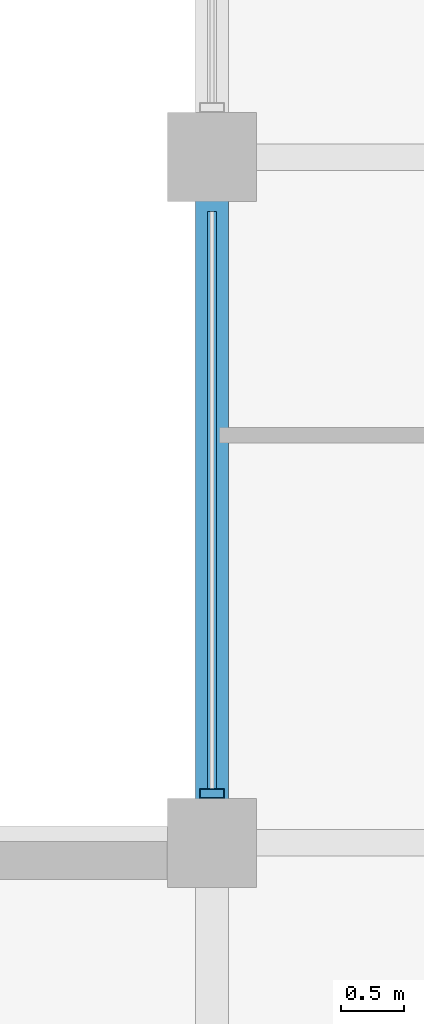
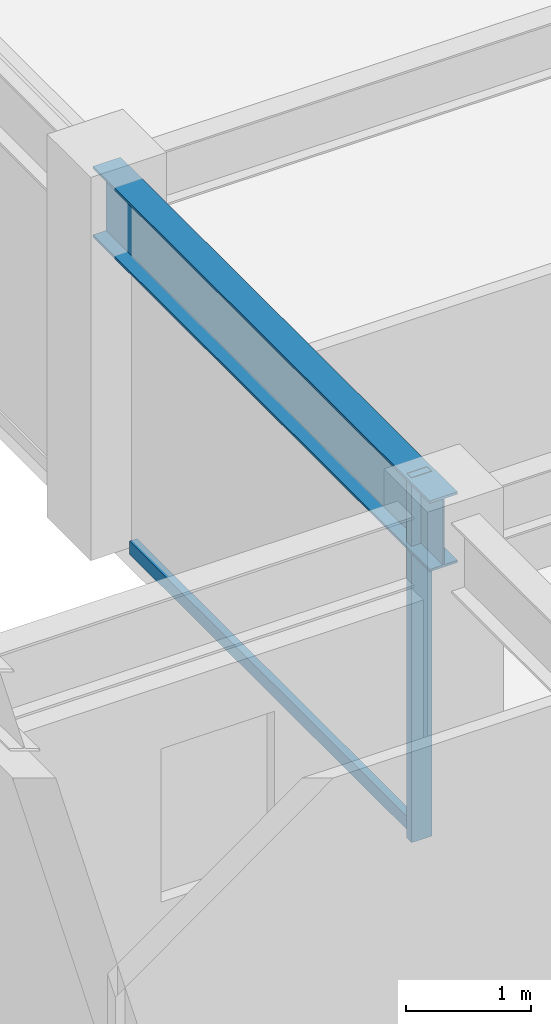
# One storey, part 7 of 31: 2 members, 1 beam, 1 element without a shape of its own.
"""IFC4 building model written with IfcOpenShell, lengths in metres."""

from ifc_helpers import new_model, si_unit, direction, frame, origin, origin_2d, place, context, subcontext, project, spatial, hollow_rectangle, i_section, extrude, material, layer, layer_set, material_profile, profile_set, type_object, element, aggregate, save


model = new_model("IFC4")

# Units and contexts
model_context = context("Model", 3, precision=1e-05, world=origin(), true_north=direction((0.0, 1.0)))
body_context = subcontext(model_context, "Body", "Model", "MODEL_VIEW")
ifc_project = project(units=[si_unit("LENGTHUNIT", "METRE"), si_unit("AREAUNIT", "SQUARE_METRE"), si_unit("VOLUMEUNIT", "CUBIC_METRE"), si_unit("PLANEANGLEUNIT", "RADIAN"), si_unit("MASSUNIT", "GRAM", prefix="KILO")], contexts=[model_context])

# Site, building, storey
site_placement = place(None, origin())
site = spatial("IfcSite", under=ifc_project, at=site_placement, CompositionType="ELEMENT")
building_placement = place(site_placement, origin())
building = spatial("IfcBuilding", under=site, at=building_placement, Name="Surkhivell Harbour Commons", CompositionType="ELEMENT")
storey_placement = place(building_placement, frame((0.0, 0.0, 322.5)))
storey = spatial("IfcBuildingStorey", under=building, at=storey_placement, Name="L84", CompositionType="ELEMENT", Elevation=322.5)

# Beam
ifc_material_1 = material(Name="Steel S355", Category="steel")
ifc_material_profile_1 = material_profile(ifc_material_1, i_section(OverallWidth=0.256103515625, OverallDepth=0.693115234375, WebThickness=0.014404296875, FlangeThickness=0.023681640625, at=origin_2d()), Name="UB686x254x170")
ifc_profile_set_1 = profile_set([ifc_material_profile_1], Name="Steel S355")
beam_type = type_object("IfcBeamType", Name="BM-SPN-686", PredefinedType="SPANDREL", material=ifc_profile_set_1)
beam_placement = place(storey_placement, frame((-27.0, 5.39990234375, 3.223388671875), z_axis=(0.0, 1.0, 0.0), x_axis=(-1.0, 0.0, 0.0)))
element("IfcBeam", 1, at=beam_placement, inside=storey, type_object=beam_type, Name="L84 Tube Spandrel (-27.0,5.4)", PredefinedType="SPANDREL", context=body_context, shape_type="SweptSolid", body=[
    extrude(i_section(OverallWidth=0.256103515625, OverallDepth=0.693115234375, WebThickness=0.014404296875, FlangeThickness=0.023681640625, at=origin_2d()), origin(), (0.0, 0.0, 1.0), 5.400146484375),
])

# Curtain wall, members
ifc_material_2 = material(Name="Anodised pale-metal aluminium and insulated glazing", Category="aluminium")
ifc_layer = layer(ifc_material_2, 0.175048828125)
ifc_layer_set = layer_set([ifc_layer], Name="Anodised pale-metal aluminium and insulated glazing")
curtain_wall_type = type_object("IfcCurtainWallType", Name="CW-SYS-Z4", PredefinedType="NOTDEFINED", material=ifc_layer_set)
curtain_wall_placement = place(storey_placement, origin())
curtain_wall = element("IfcCurtainWall", 2, at=curtain_wall_placement, inside=storey, type_object=curtain_wall_type, Name="L84 Curtain Wall CW-L84-E12R2", PredefinedType="NOTDEFINED")
ifc_material_3 = material(Name="Anodised pale-metal aluminium alloy 6063-T6", Category="aluminium")
ifc_material_profile_2 = material_profile(ifc_material_3, hollow_rectangle(XDim=0.074951171875, YDim=0.18994140625, WallThickness=0.00390625, at=origin_2d()), Name="ALU-MULL-75x190")
ifc_profile_set_2 = profile_set([ifc_material_profile_2], Name="Anodised pale-metal aluminium alloy 6063-T6")
member_type_1 = type_object("IfcMemberType", Name="CWM-190", PredefinedType="MULLION", material=ifc_profile_set_2)
member_1_placement = place(storey_placement, frame((-27.0, 5.78955078125, 0.0), z_axis=(0.0, 0.0, 1.0), x_axis=(0.0, 1.0, 0.0)))
member_1 = element("IfcMember", 3, at=member_1_placement, type_object=member_type_1, Name="CW-Z4 mullion 1", PredefinedType="MULLION", context=body_context, shape_type="SweptSolid", body=[
    extrude(hollow_rectangle(XDim=0.074951171875, YDim=0.18994140625, WallThickness=0.00390625, at=origin_2d()), origin(), (0.0, 0.0, 1.0), 3.570068359375),
])
ifc_material_4 = material(Name="Champagne anodised aluminium alloy 6063-T6", Category="aluminium")
ifc_material_profile_3 = material_profile(ifc_material_4, hollow_rectangle(XDim=0.070068359375, YDim=0.1298828125, WallThickness=0.00341796875, at=origin_2d()), Name="ALU-TRAN-70x130")
ifc_profile_set_3 = profile_set([ifc_material_profile_3], Name="Champagne anodised aluminium alloy 6063-T6")
member_type_2 = type_object("IfcMemberType", Name="CWT-130", PredefinedType="USERDEFINED", material=ifc_profile_set_3)
member_2_placement = place(storey_placement, frame((-27.0, 5.826904296875, 0.06494140625), z_axis=(0.0, 1.0, 0.0), x_axis=(-1.0, 0.0, 0.0)))
member_2 = element("IfcMember", 4, at=member_2_placement, type_object=member_type_2, Name="CW-Z4 transom 1.1", ObjectType="TRANSOM", PredefinedType="USERDEFINED", context=body_context, shape_type="SweptSolid", body=[
    extrude(hollow_rectangle(XDim=0.070068359375, YDim=0.1298828125, WallThickness=0.00341796875, at=origin_2d()), origin(), (0.0, 0.0, 1.0), 4.546142578125),
])
aggregate(curtain_wall, [member_1, member_2])

save(model, "model.ifc")
